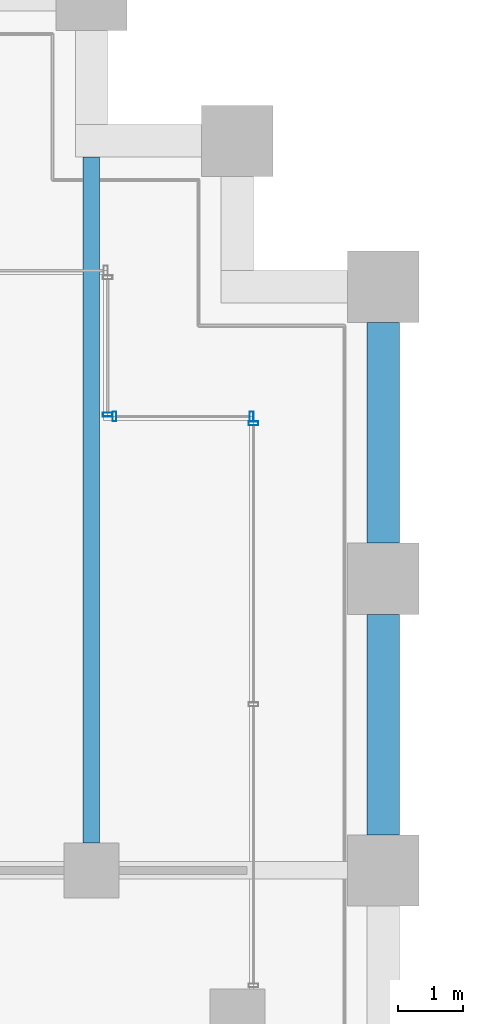
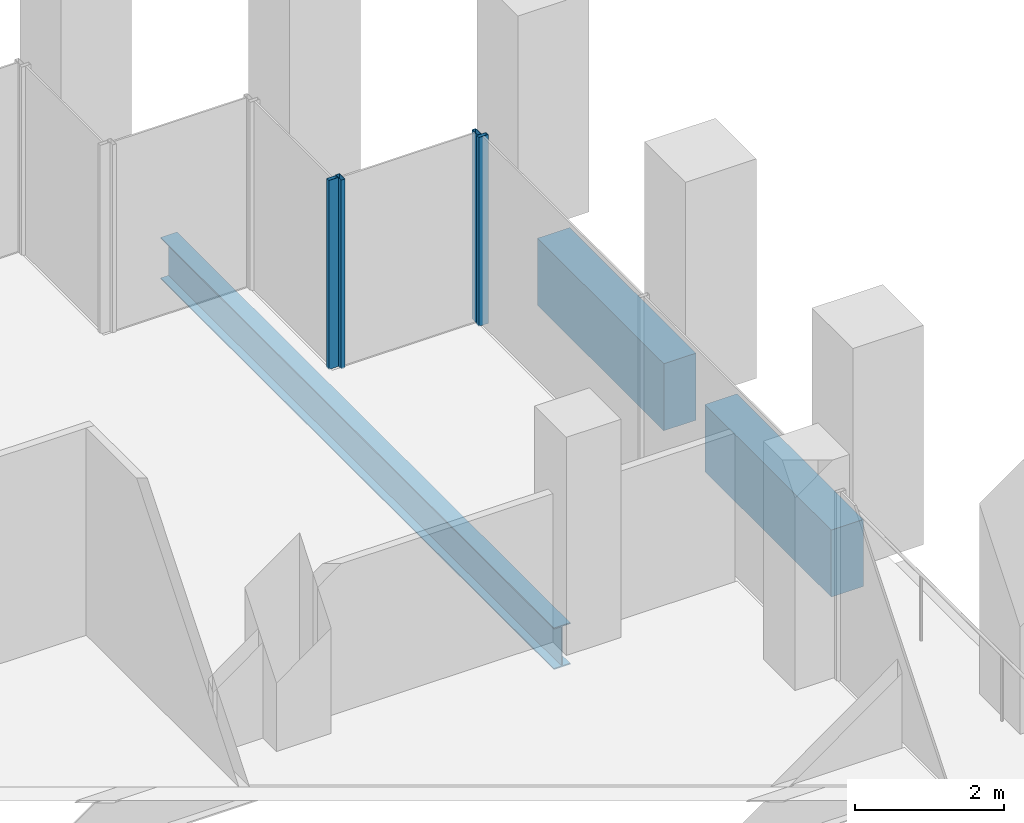
# One storey, part 31 of 56: 4 members, 3 beams, 3 elements without a shape of their own.
"""IFC4 building model written with IfcOpenShell, lengths in metres."""

from ifc_helpers import new_model, si_unit, direction, frame, origin, origin_2d, place, context, subcontext, project, spatial, rectangle, hollow_rectangle, i_section, extrude, material, material_profile, profile_set, type_object, element, aggregate, save


model = new_model("IFC4")

# Units and contexts
model_context = context("Model", 3, precision=1e-05, world=origin(), true_north=direction((0.0, 1.0)))
body_context = subcontext(model_context, "Body", "Model", "MODEL_VIEW")
ifc_project = project(units=[si_unit("LENGTHUNIT", "METRE"), si_unit("AREAUNIT", "SQUARE_METRE"), si_unit("VOLUMEUNIT", "CUBIC_METRE"), si_unit("PLANEANGLEUNIT", "RADIAN"), si_unit("MASSUNIT", "GRAM", prefix="KILO")], contexts=[model_context])

# Site, building, storey
site_placement = place(None, origin())
site = spatial("IfcSite", under=ifc_project, at=site_placement, CompositionType="ELEMENT")
building_placement = place(site_placement, origin())
building = spatial("IfcBuilding", under=site, at=building_placement, Name="Altepetl Exchange Towers", CompositionType="ELEMENT")
storey_placement = place(building_placement, frame((0.0, 0.0, 83.39990234375)))
storey = spatial("IfcBuildingStorey", under=building, at=storey_placement, Name="L20", CompositionType="ELEMENT", Elevation=83.39990234375)

# Beam
ifc_material_1 = material(Name="Steel S355", Category="steel")
ifc_material_profile_1 = material_profile(ifc_material_1, i_section(OverallWidth=0.25390625, OverallDepth=0.68408203125, WebThickness=0.012451171875, FlangeThickness=0.018798828125, at=origin_2d()), Name="W27X94")
ifc_profile_set_1 = profile_set([ifc_material_profile_1], Name="Steel S355")
beam_type_1 = type_object("IfcBeamType", Name="Floor beam W27X94", PredefinedType="BEAM", material=ifc_profile_set_1)
beam_placement = place(storey_placement, frame((67.5, 58.925048828125, -0.491943359375), z_axis=(0.0, 1.0, 0.0), x_axis=(-1.0, 0.0, 0.0)))
element("IfcBeam", 1, at=beam_placement, inside=storey, type_object=beam_type_1, Name="bm:A:L20:005", PredefinedType="BEAM", context=body_context, shape_type="SweptSolid", body=[
    extrude(i_section(OverallWidth=0.25390625, OverallDepth=0.68408203125, WebThickness=0.012451171875, FlangeThickness=0.018798828125, at=origin_2d()), origin(), (0.0, 0.0, 1.0), 10.574951171875),
])

# Curtain wall, member
ifc_material_2 = material(Name="Aluminium 6063-T6 glazing", Category="aluminium")
curtain_wall_type = type_object("IfcCurtainWallType", Name="Loggia glazing system", PredefinedType="NOTDEFINED", material=ifc_material_2)
curtain_wall_1_placement = place(storey_placement, origin())
curtain_wall_1 = element("IfcCurtainWall", 2, at=curtain_wall_1_placement, inside=storey, type_object=curtain_wall_type, Name="CW1 run", PredefinedType="NOTDEFINED")
ifc_material_3 = material(Name="Aluminium 6063-T6", Category="aluminium")
ifc_material_profile_2 = material_profile(ifc_material_3, hollow_rectangle(XDim=0.06005859375, YDim=0.14990234375, WallThickness=0.0029296875, at=origin_2d()), Name="Mullion 60x150 aluminium")
ifc_profile_set_2 = profile_set([ifc_material_profile_2], Name="Aluminium 6063-T6")
member_type = type_object("IfcMemberType", Name="Mullion 60x150 aluminium", PredefinedType="MULLION", material=ifc_profile_set_2)
member_1_placement = place(storey_placement, frame((70.0, 65.39501953125, 0.0), z_axis=(0.0, 0.0, 1.0), x_axis=(0.0, 1.0, 0.0)))
member_1 = element("IfcMember", 3, at=member_1_placement, type_object=member_type, Name="MU1 mullion", PredefinedType="MULLION", context=body_context, shape_type="SweptSolid", body=[
    extrude(hollow_rectangle(XDim=0.06005859375, YDim=0.14990234375, WallThickness=0.0029296875, at=origin_2d()), origin(), (0.0, 0.0, 1.0), 3.10009765625),
])
aggregate(curtain_wall_1, [member_1])

# Curtain wall, members
curtain_wall_2_placement = place(storey_placement, origin())
curtain_wall_2 = element("IfcCurtainWall", 4, at=curtain_wall_2_placement, inside=storey, type_object=curtain_wall_type, Name="CW1 run", PredefinedType="NOTDEFINED")
member_2_placement = place(storey_placement, frame((69.969970703125, 65.5, 0.0), z_axis=(0.0, 0.0, 1.0), x_axis=(-1.0, 0.0, 0.0)))
member_2 = element("IfcMember", 5, at=member_2_placement, type_object=member_type, Name="MU1 mullion", PredefinedType="MULLION", context=body_context, shape_type="SweptSolid", body=[
    extrude(hollow_rectangle(XDim=0.06005859375, YDim=0.14990234375, WallThickness=0.0029296875, at=origin_2d()), origin(), (0.0, 0.0, 1.0), 3.10009765625),
])
member_3_placement = place(storey_placement, frame((67.85498046875, 65.5, 0.0), z_axis=(0.0, 0.0, 1.0), x_axis=(-1.0, 0.0, 0.0)))
member_3 = element("IfcMember", 6, at=member_3_placement, type_object=member_type, Name="MU1 mullion", PredefinedType="MULLION", context=body_context, shape_type="SweptSolid", body=[
    extrude(hollow_rectangle(XDim=0.06005859375, YDim=0.14990234375, WallThickness=0.0029296875, at=origin_2d()), origin(), (0.0, 0.0, 1.0), 3.10009765625),
])
aggregate(curtain_wall_2, [member_2, member_3])

# Curtain wall, member
curtain_wall_3_placement = place(storey_placement, origin())
curtain_wall_3 = element("IfcCurtainWall", 7, at=curtain_wall_3_placement, inside=storey, type_object=curtain_wall_type, Name="CW1 run", PredefinedType="NOTDEFINED")
member_4_placement = place(storey_placement, frame((67.75, 65.530029296875, 0.0), z_axis=(0.0, 0.0, 1.0), x_axis=(0.0, 1.0, 0.0)))
member_4 = element("IfcMember", 8, at=member_4_placement, type_object=member_type, Name="MU1 mullion", PredefinedType="MULLION", context=body_context, shape_type="SweptSolid", body=[
    extrude(hollow_rectangle(XDim=0.06005859375, YDim=0.14990234375, WallThickness=0.0029296875, at=origin_2d()), origin(), (0.0, 0.0, 1.0), 3.10009765625),
])
aggregate(curtain_wall_3, [member_4])

# Beams
ifc_material_4 = material(Name="Concrete C50/60 precast with cantera rosa facing", Category="concrete")
ifc_material_profile_3 = material_profile(ifc_material_4, rectangle(XDim=0.5, YDim=1.10009765625, at=origin_2d()), Name="500 x 1100")
ifc_profile_set_3 = profile_set([ifc_material_profile_3], Name="Concrete C50/60 precast with cantera rosa facing")
beam_type_2 = type_object("IfcBeamType", Name="Spandrel beam 500x1100 cantera rosa", PredefinedType="SPANDREL", material=ifc_profile_set_3)
for number, where, z_axis, x_axis, name in (
    (9, (72.0, 59.050048828125, -0.699951171875), (0.0, 1.0, 0.0), (-1.0, 0.0, 0.0), "sp:A:L20:018"),
    (10, (72.0, 63.550048828125, -0.699951171875), (0.0, 1.0, 0.0), (-1.0, 0.0, 0.0), "sp:A:L20:019"),
):
    element("IfcBeam", number, at=place(storey_placement, frame(where, z_axis=z_axis, x_axis=x_axis)), inside=storey, type_object=beam_type_2, Name=name, PredefinedType="SPANDREL", context=body_context, shape_type="SweptSolid", body=[
        extrude(rectangle(XDim=0.5, YDim=1.10009765625, at=origin_2d()), origin(), (0.0, 0.0, 1.0), 3.39990234375),
    ])

save(model, "model.ifc")
